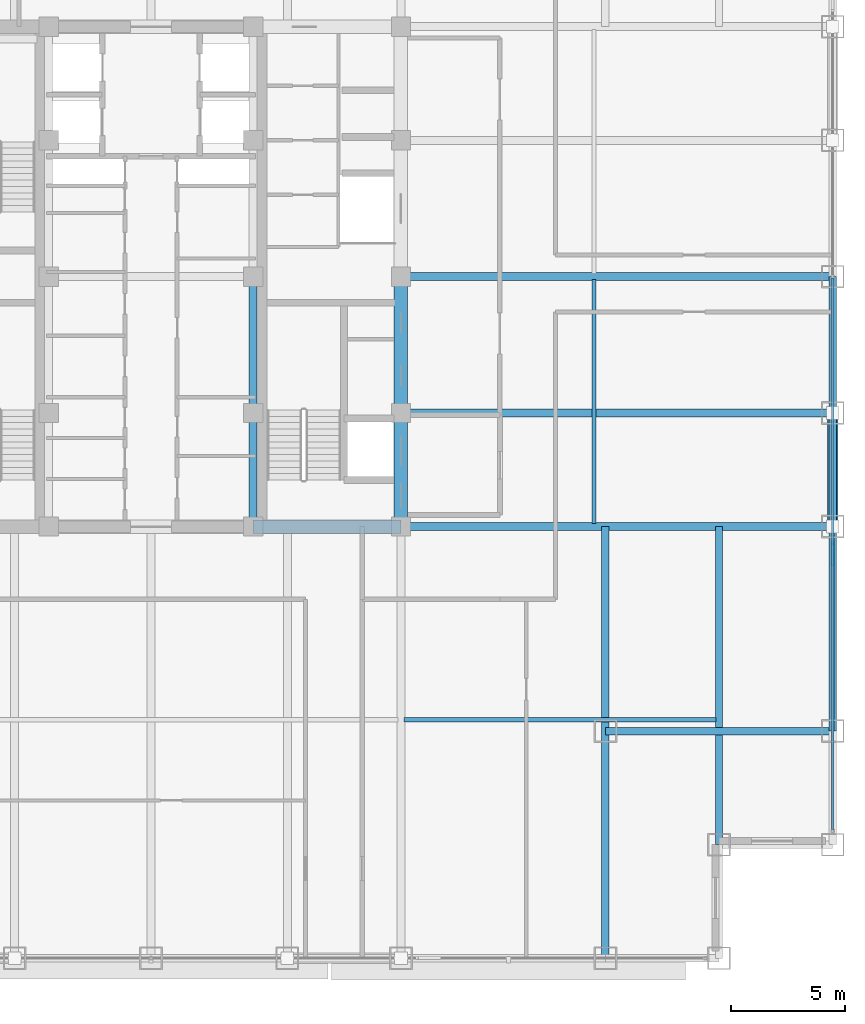
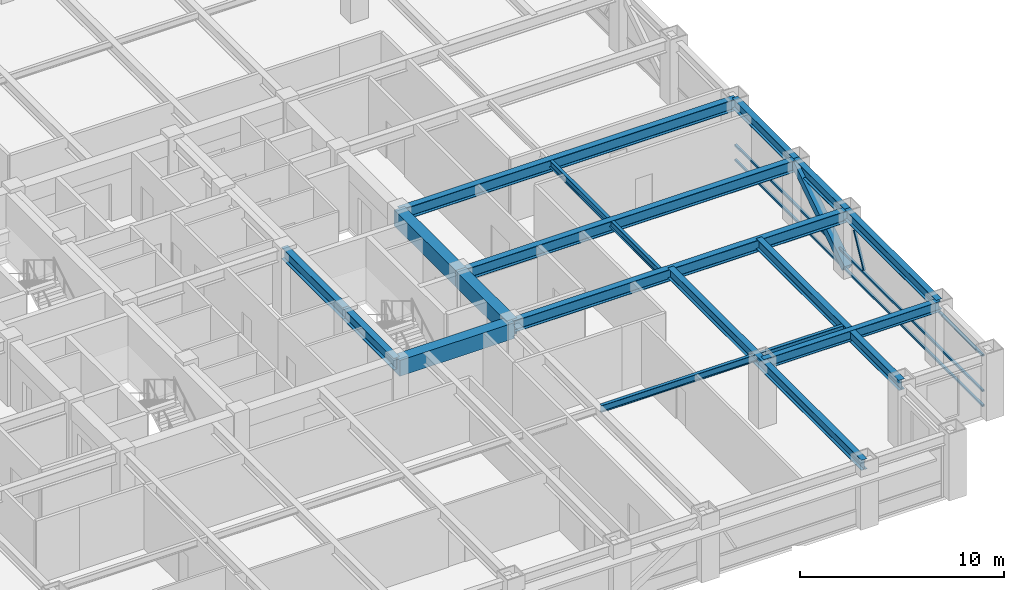
# One storey, part 9 of 29: 16 beams, 5 members, 1 element without a shape of its own.
"""IFC4 building model written with IfcOpenShell, lengths in metres."""

from ifc_helpers import new_model, si_unit, direction, frame, origin, origin_2d, place, context, subcontext, project, spatial, rectangle, hollow_rectangle, i_section, extrude, source, transform, mapped, material, material_profile, profile_set, type_object, element, aggregate, save


model = new_model("IFC4")

# Units and contexts
model_context = context("Model", 3, precision=1e-05, world=origin(), true_north=direction((0.0, 1.0)))
body_context = subcontext(model_context, "Body", "Model", "MODEL_VIEW")
ifc_project = project(units=[si_unit("LENGTHUNIT", "METRE"), si_unit("AREAUNIT", "SQUARE_METRE"), si_unit("VOLUMEUNIT", "CUBIC_METRE"), si_unit("PLANEANGLEUNIT", "RADIAN"), si_unit("MASSUNIT", "GRAM", prefix="KILO")], contexts=[model_context])

# Site, building, storey
site_placement = place(None, origin())
site = spatial("IfcSite", under=ifc_project, at=site_placement, CompositionType="ELEMENT")
building_placement = place(site_placement, origin())
building = spatial("IfcBuilding", under=site, at=building_placement, Name="Khorayat Bourse Tower", CompositionType="ELEMENT")
storey_placement = place(building_placement, frame((0.0, 0.0, 239.10009765625)))
storey = spatial("IfcBuildingStorey", under=building, at=storey_placement, Name="L56", CompositionType="ELEMENT", Elevation=239.10009765625)

# Beams
ifc_material_1 = material(Name="Steel ASTM A992 Grade 50", Category="steel")
ifc_material_profile_1 = material_profile(ifc_material_1, i_section(OverallWidth=0.35498046875, OverallDepth=0.695068359375, WebThickness=0.015380859375, FlangeThickness=0.02490234375, FilletRadius=0.01806640625, at=origin_2d()), Name="W690X217")
ifc_profile_set_1 = profile_set([ifc_material_profile_1], Name="Steel ASTM A992 Grade 50")
beam_type_1 = type_object("IfcBeamType", Name="BM-GIRD-690", PredefinedType="BEAM", material=ifc_profile_set_1)
shared_shape_1 = source(origin(), body_context, "Body", "SweptSolid", [
    extrude(i_section(OverallWidth=0.35498046875, OverallDepth=0.695068359375, WebThickness=0.015380859375, FlangeThickness=0.02490234375, FilletRadius=0.01806640625, at=origin_2d()), origin(), (0.0, 0.0, 1.0), 5.0),
])
beam_1_placement = place(storey_placement, frame((4.5, -11.0, 3.432373046875), z_axis=(0.0, 1.0, 0.0), x_axis=(-1.0, 0.0, 0.0)))
element("IfcBeam", 1, at=beam_1_placement, inside=storey, type_object=beam_type_1, Name="L56 BM-GIRD-690 BM-L56-CRX-09", PredefinedType="BEAM", context=body_context, shape_type="MappedRepresentation", body=[
    mapped(shared_shape_1, transform((0.0, 0.0, 0.0), scale=1.0)),
])
shared_shape_2 = source(origin(), body_context, "Body", "SweptSolid", [
    extrude(i_section(OverallWidth=0.35498046875, OverallDepth=0.695068359375, WebThickness=0.015380859375, FlangeThickness=0.02490234375, FilletRadius=0.01806640625, at=origin_2d()), origin(), (0.0, 0.0, 1.0), 6.0),
])
beam_2_placement = place(storey_placement, frame((4.5, -6.0, 3.432373046875), z_axis=(0.0, 1.0, 0.0), x_axis=(-1.0, 0.0, 0.0)))
element("IfcBeam", 2, at=beam_2_placement, inside=storey, type_object=beam_type_1, Name="L56 BM-GIRD-690 BM-L56-CRX-10", PredefinedType="BEAM", context=body_context, shape_type="MappedRepresentation", body=[
    mapped(shared_shape_2, transform((0.0, 0.0, 0.0), scale=1.0)),
])
ifc_material_profile_2 = material_profile(ifc_material_1, i_section(OverallWidth=0.324951171875, OverallDepth=0.615966796875, WebThickness=0.013916015625, FlangeThickness=0.021484375, FilletRadius=0.01611328125, at=origin_2d()), Name="W610X174")
ifc_profile_set_2 = profile_set([ifc_material_profile_2], Name="Steel ASTM A992 Grade 50")
beam_type_2 = type_object("IfcBeamType", Name="BM-GIRD-610", PredefinedType="BEAM", material=ifc_profile_set_2)
shared_shape_3 = source(origin(), body_context, "Body", "SweptSolid", [
    extrude(i_section(OverallWidth=0.324951171875, OverallDepth=0.615966796875, WebThickness=0.013916015625, FlangeThickness=0.021484375, FilletRadius=0.01611328125, at=origin_2d()), origin(), (0.0, 0.0, 1.0), 19.0),
])
beam_3_placement = place(storey_placement, frame((20.0, -30.0, 3.471923828125), z_axis=(0.0, 1.0, 0.0), x_axis=(-1.0, 0.0, 0.0)))
element("IfcBeam", 3, at=beam_3_placement, inside=storey, type_object=beam_type_2, Name="L56 BM-GIRD-610 BM-L56-CNRY-086", PredefinedType="BEAM", context=body_context, shape_type="MappedRepresentation", body=[
    mapped(shared_shape_3, transform((0.0, 0.0, 0.0), scale=1.0)),
])
shared_shape_4 = source(origin(), body_context, "Body", "SweptSolid", [
    extrude(i_section(OverallWidth=0.324951171875, OverallDepth=0.615966796875, WebThickness=0.013916015625, FlangeThickness=0.021484375, FilletRadius=0.01611328125, at=origin_2d()), origin(), (0.0, 0.0, 1.0), 10.0),
])
beam_4_placement = place(storey_placement, frame((20.0, -20.0, 3.471923828125), z_axis=(1.0, 0.0, 0.0), x_axis=(0.0, 1.0, 0.0)))
element("IfcBeam", 4, at=beam_4_placement, inside=storey, type_object=beam_type_2, Name="L56 BM-GIRD-610 BM-L56-CNRX-092", PredefinedType="BEAM", context=body_context, shape_type="MappedRepresentation", body=[
    mapped(shared_shape_4, transform((0.0, 0.0, 0.0), scale=1.0)),
])
ifc_material_profile_3 = material_profile(ifc_material_1, i_section(OverallWidth=0.180908203125, OverallDepth=0.4169921875, WebThickness=0.010986328125, FlangeThickness=0.018310546875, FilletRadius=0.011962890625, at=origin_2d()), Name="W410X85")
ifc_profile_set_3 = profile_set([ifc_material_profile_3], Name="Steel ASTM A992 Grade 50")
beam_type_3 = type_object("IfcBeamType", Name="BM-JOIST-410", PredefinedType="JOIST", material=ifc_profile_set_3)
shared_shape_5 = source(origin(), body_context, "Body", "SweptSolid", [
    extrude(i_section(OverallWidth=0.180908203125, OverallDepth=0.4169921875, WebThickness=0.010986328125, FlangeThickness=0.018310546875, FilletRadius=0.011962890625, at=origin_2d()), origin(), (0.0, 0.0, 1.0), 10.740234375),
])
beam_5_placement = place(storey_placement, frame((19.5, -10.8701171875, 3.5712890625), z_axis=(0.0, 1.0, 0.0), x_axis=(-1.0, 0.0, 0.0)))
element("IfcBeam", 5, at=beam_5_placement, inside=storey, type_object=beam_type_3, Name="L56 BM-JOIST-410 BM-L56-JSTY-104", PredefinedType="JOIST", context=body_context, shape_type="MappedRepresentation", body=[
    mapped(shared_shape_5, transform((0.0, 0.0, 0.0), scale=1.0)),
])
ifc_material_profile_4 = material_profile(ifc_material_1, i_section(OverallWidth=0.324951171875, OverallDepth=0.615966796875, WebThickness=0.013916015625, FlangeThickness=0.021484375, FilletRadius=0.01611328125, at=origin_2d()), Name="W610X174")
ifc_profile_set_4 = profile_set([ifc_material_profile_4], Name="Steel ASTM A992 Grade 50")
beam_type_4 = type_object("IfcBeamType", Name="BM-SPAN-610", PredefinedType="SPANDREL", material=ifc_profile_set_4)
shared_shape_6 = source(origin(), body_context, "Body", "SweptSolid", [
    extrude(i_section(OverallWidth=0.324951171875, OverallDepth=0.615966796875, WebThickness=0.013916015625, FlangeThickness=0.021484375, FilletRadius=0.01611328125, at=origin_2d()), origin(), (0.0, 0.0, 1.0), 9.0),
])
beam_6_placement = place(storey_placement, frame((30.0, -20.0, 3.471923828125), z_axis=(0.0, 1.0, 0.0), x_axis=(-1.0, 0.0, 0.0)))
element("IfcBeam", 6, at=beam_6_placement, inside=storey, type_object=beam_type_4, Name="L56 BM-SPAN-610 BM-L56-SPN-035", PredefinedType="SPANDREL", context=body_context, shape_type="MappedRepresentation", body=[
    mapped(shared_shape_6, transform((0.0, 0.0, 0.0), scale=1.0)),
])
shared_shape_7 = source(origin(), body_context, "Body", "SweptSolid", [
    extrude(i_section(OverallWidth=0.324951171875, OverallDepth=0.615966796875, WebThickness=0.013916015625, FlangeThickness=0.021484375, FilletRadius=0.01611328125, at=origin_2d()), origin(), (0.0, 0.0, 1.0), 5.0),
])
beam_7_placement = place(storey_placement, frame((30.0, -11.0, 3.471923828125), z_axis=(0.0, 1.0, 0.0), x_axis=(-1.0, 0.0, 0.0)))
element("IfcBeam", 7, at=beam_7_placement, inside=storey, type_object=beam_type_4, Name="L56 BM-SPAN-610 BM-L56-SPN-036", PredefinedType="SPANDREL", context=body_context, shape_type="MappedRepresentation", body=[
    mapped(shared_shape_7, transform((0.0, 0.0, 0.0), scale=1.0)),
])
shared_shape_8 = source(origin(), body_context, "Body", "SweptSolid", [
    extrude(i_section(OverallWidth=0.324951171875, OverallDepth=0.615966796875, WebThickness=0.013916015625, FlangeThickness=0.021484375, FilletRadius=0.01611328125, at=origin_2d()), origin(), (0.0, 0.0, 1.0), 6.0),
])
beam_8_placement = place(storey_placement, frame((30.0, -6.0, 3.471923828125), z_axis=(0.0, 1.0, 0.0), x_axis=(-1.0, 0.0, 0.0)))
element("IfcBeam", 8, at=beam_8_placement, inside=storey, type_object=beam_type_4, Name="L56 BM-SPAN-610 BM-L56-SPN-037", PredefinedType="SPANDREL", context=body_context, shape_type="MappedRepresentation", body=[
    mapped(shared_shape_8, transform((0.0, 0.0, 0.0), scale=1.0)),
])
ifc_material_2 = material(Name="Concrete C60/75", Category="concrete")
ifc_material_profile_5 = material_profile(ifc_material_2, rectangle(XDim=0.60009765625, YDim=0.949951171875, at=origin_2d()), Name="RC 600x950")
ifc_profile_set_5 = profile_set([ifc_material_profile_5], Name="Concrete C60/75")
beam_type_5 = type_object("IfcBeamType", Name="BM-COUP-950", PredefinedType="BEAM", material=ifc_profile_set_5)
shared_shape_9 = source(origin(), body_context, "Body", "SweptSolid", [
    extrude(rectangle(XDim=0.60009765625, YDim=0.949951171875, at=origin_2d()), origin(), (0.0, 0.0, 1.0), 5.0),
])
beam_9_placement = place(storey_placement, frame((11.0, -11.0, 3.304931640625), z_axis=(0.0, 1.0, 0.0), x_axis=(-1.0, 0.0, 0.0)))
element("IfcBeam", 9, at=beam_9_placement, inside=storey, type_object=beam_type_5, Name="L56 BM-COUP-950 BM-L56-CRX-13", PredefinedType="BEAM", context=body_context, shape_type="MappedRepresentation", body=[
    mapped(shared_shape_9, transform((0.0, 0.0, 0.0), scale=1.0)),
])
shared_shape_10 = source(origin(), body_context, "Body", "SweptSolid", [
    extrude(rectangle(XDim=0.60009765625, YDim=0.949951171875, at=origin_2d()), origin(), (0.0, 0.0, 1.0), 6.0),
])
beam_10_placement = place(storey_placement, frame((11.0, -6.0, 3.304931640625), z_axis=(0.0, 1.0, 0.0), x_axis=(-1.0, 0.0, 0.0)))
element("IfcBeam", 10, at=beam_10_placement, inside=storey, type_object=beam_type_5, Name="L56 BM-COUP-950 BM-L56-CRX-14", PredefinedType="BEAM", context=body_context, shape_type="MappedRepresentation", body=[
    mapped(shared_shape_10, transform((0.0, 0.0, 0.0), scale=1.0)),
])
shared_shape_11 = source(origin(), body_context, "Body", "SweptSolid", [
    extrude(rectangle(XDim=0.60009765625, YDim=0.949951171875, at=origin_2d()), origin(), (0.0, 0.0, 1.0), 6.5),
])
beam_11_placement = place(storey_placement, frame((4.5, -11.0, 3.304931640625), z_axis=(1.0, 0.0, 0.0), x_axis=(0.0, 1.0, 0.0)))
element("IfcBeam", 11, at=beam_11_placement, inside=storey, type_object=beam_type_5, Name="L56 BM-COUP-950 BM-L56-CRY-19", PredefinedType="BEAM", context=body_context, shape_type="MappedRepresentation", body=[
    mapped(shared_shape_11, transform((0.0, 0.0, 0.0), scale=1.0)),
])
shared_shape_12 = source(origin(), body_context, "Body", "SweptSolid", [
    extrude(i_section(OverallWidth=0.35498046875, OverallDepth=0.695068359375, WebThickness=0.015380859375, FlangeThickness=0.02490234375, FilletRadius=0.01806640625, at=origin_2d()), origin(), (0.0, 0.0, 1.0), 19.0),
])
for number, where, z_axis, x_axis, name in (
    (12, (11.0, -11.0, 3.432373046875), (1.0, 0.0, 0.0), (0.0, 1.0, 0.0), "L56 BM-GIRD-690 BM-L56-RADX-074"),
    (13, (11.0, -6.0, 3.432373046875), (1.0, 0.0, 0.0), (0.0, 1.0, 0.0), "L56 BM-GIRD-690 BM-L56-RADX-076"),
    (14, (11.0, 0.0, 3.432373046875), (1.0, 0.0, 0.0), (0.0, 1.0, 0.0), "L56 BM-GIRD-690 BM-L56-RADX-078"),
):
    element("IfcBeam", number, at=place(storey_placement, frame(where, z_axis=z_axis, x_axis=x_axis)), inside=storey, type_object=beam_type_1, Name=name, PredefinedType="BEAM", context=body_context, shape_type="MappedRepresentation", body=[
        mapped(shared_shape_12, transform((0.0, 0.0, 0.0), scale=1.0)),
    ])
shared_shape_13 = source(origin(), body_context, "Body", "SweptSolid", [
    extrude(i_section(OverallWidth=0.324951171875, OverallDepth=0.615966796875, WebThickness=0.013916015625, FlangeThickness=0.021484375, FilletRadius=0.01611328125, at=origin_2d()), origin(), (0.0, 0.0, 1.0), 14.0),
])
beam_12_placement = place(storey_placement, frame((25.0, -25.0, 3.471923828125), z_axis=(0.0, 1.0, 0.0), x_axis=(-1.0, 0.0, 0.0)))
element("IfcBeam", 15, at=beam_12_placement, inside=storey, type_object=beam_type_2, Name="L56 BM-GIRD-610 BM-L56-CNRY-090", PredefinedType="BEAM", context=body_context, shape_type="MappedRepresentation", body=[
    mapped(shared_shape_13, transform((0.0, 0.0, 0.0), scale=1.0)),
])
shared_shape_14 = source(origin(), body_context, "Body", "SweptSolid", [
    extrude(i_section(OverallWidth=0.180908203125, OverallDepth=0.4169921875, WebThickness=0.010986328125, FlangeThickness=0.018310546875, FilletRadius=0.011962890625, at=origin_2d()), origin(), (0.0, 0.0, 1.0), 13.740234375),
])
beam_13_placement = place(storey_placement, frame((11.1298828125, -19.5, 3.5712890625), z_axis=(1.0, 0.0, 0.0), x_axis=(0.0, 1.0, 0.0)))
element("IfcBeam", 16, at=beam_13_placement, inside=storey, type_object=beam_type_3, Name="L56 BM-JOIST-410 BM-L56-JSTX-098", PredefinedType="JOIST", context=body_context, shape_type="MappedRepresentation", body=[
    mapped(shared_shape_14, transform((0.0, 0.0, 0.0), scale=1.0)),
])

# Member
ifc_material_3 = material(Name="Steel EN 10025-4 S460M", Category="steel")
ifc_material_profile_6 = material_profile(ifc_material_3, hollow_rectangle(XDim=0.449951171875, YDim=0.449951171875, WallThickness=0.02490234375, at=origin_2d()), Name="HSS 450x450x25")
ifc_profile_set_6 = profile_set([ifc_material_profile_6], Name="Steel EN 10025-4 S460M")
member_type_1 = type_object("IfcMemberType", Name="MBR-TUBE-450", PredefinedType="BRACE", material=ifc_profile_set_6)
shared_shape_15 = source(origin(), body_context, "Body", "SweptSolid", [
    extrude(hollow_rectangle(XDim=0.449951171875, YDim=0.449951171875, WallThickness=0.02490234375, at=origin_2d()), origin(), (0.0, 0.0, 1.0), 5.979736328125),
])
member_1_placement = place(storey_placement, frame((30.0, -11.0, 0.25), z_axis=(0.0, 0.836160261256, 0.548485202623), x_axis=(-1.0, 0.0, 0.0)))
element("IfcMember", 17, at=member_1_placement, inside=storey, type_object=member_type_1, Name="L56 Perimeter Tube Brace 07", PredefinedType="BRACE", context=body_context, shape_type="MappedRepresentation", body=[
    mapped(shared_shape_15, transform((0.0, 0.0, 0.0), scale=1.0)),
])

# Curtain wall, members
ifc_material_4 = material(Name="Aluminium EN AW-6063 T6", Category="aluminium")
curtain_wall_type = type_object("IfcCurtainWallType", Name="CW-SYS-03", PredefinedType="NOTDEFINED", material=ifc_material_4)
curtain_wall_placement = place(storey_placement, origin())
curtain_wall = element("IfcCurtainWall", 18, at=curtain_wall_placement, inside=storey, type_object=curtain_wall_type, Name="L56 Curtain Wall CW-L56-E1", PredefinedType="NOTDEFINED")
ifc_material_profile_7 = material_profile(ifc_material_4, hollow_rectangle(XDim=0.1201171875, YDim=0.1201171875, WallThickness=0.0048828125, at=origin_2d()), Name="ALU 120x120x5")
ifc_profile_set_7 = profile_set([ifc_material_profile_7], Name="Aluminium EN AW-6063 T6")
member_type_2 = type_object("IfcMemberType", Name="CWM-DIAG-120", PredefinedType="MULLION", material=ifc_profile_set_7)
shared_shape_16 = source(origin(), body_context, "Body", "SweptSolid", [
    extrude(hollow_rectangle(XDim=0.1201171875, YDim=0.1201171875, WallThickness=0.0048828125, at=origin_2d()), origin(), (0.0, 0.0, 1.0), 2.079345703125),
])
member_2_placement = place(storey_placement, frame((30.0, -12.67919921875, 1.08984375), z_axis=(0.0, 0.465760949701, 0.884910581773), x_axis=(-1.0, 0.0, 0.0)))
member_2 = element("IfcMember", 19, at=member_2_placement, type_object=member_type_2, Name="CW-L56-E1 Faceted Diagonal Mullion 1", PredefinedType="MULLION", context=body_context, shape_type="MappedRepresentation", body=[
    mapped(shared_shape_16, transform((0.0, 0.0, 0.0), scale=1.0)),
])
ifc_material_profile_8 = material_profile(ifc_material_4, hollow_rectangle(XDim=0.1201171875, YDim=0.1201171875, WallThickness=0.0048828125, at=origin_2d()), Name="ALU 120x120x5")
ifc_profile_set_8 = profile_set([ifc_material_profile_8], Name="Aluminium EN AW-6063 T6")
member_type_3 = type_object("IfcMemberType", Name="CWT-HORZ-120", PredefinedType="USERDEFINED", material=ifc_profile_set_8)
shared_shape_17 = source(origin(), body_context, "Body", "SweptSolid", [
    extrude(hollow_rectangle(XDim=0.1201171875, YDim=0.1201171875, WallThickness=0.0048828125, at=origin_2d()), origin(), (0.0, 0.0, 1.0), 24.27001953125),
])
member_3_placement = place(storey_placement, frame((30.0, -24.330078125, 0.059814453125), z_axis=(0.0, 1.0, 0.0), x_axis=(-1.0, 0.0, 0.0)))
member_3 = element("IfcMember", 20, at=member_3_placement, type_object=member_type_3, Name="CW-L56-E1 Horizontal Transom 1-1", ObjectType="TRANSOM", PredefinedType="USERDEFINED", context=body_context, shape_type="MappedRepresentation", body=[
    mapped(shared_shape_17, transform((0.0, 0.0, 0.0), scale=1.0)),
])
member_4_placement = place(storey_placement, frame((30.0, -24.330078125, 0.949951171875), z_axis=(0.0, 1.0, 0.0), x_axis=(-1.0, 0.0, 0.0)))
member_4 = element("IfcMember", 21, at=member_4_placement, type_object=member_type_3, Name="CW-L56-E1 Horizontal Transom 1-2", ObjectType="TRANSOM", PredefinedType="USERDEFINED", context=body_context, shape_type="MappedRepresentation", body=[
    mapped(shared_shape_17, transform((0.0, 0.0, 0.0), scale=1.0)),
])
member_5_placement = place(storey_placement, frame((30.0, -24.330078125, 3.06982421875), z_axis=(0.0, 1.0, 0.0), x_axis=(-1.0, 0.0, 0.0)))
member_5 = element("IfcMember", 22, at=member_5_placement, type_object=member_type_3, Name="CW-L56-E1 Horizontal Transom 1-3", ObjectType="TRANSOM", PredefinedType="USERDEFINED", context=body_context, shape_type="MappedRepresentation", body=[
    mapped(shared_shape_17, transform((0.0, 0.0, 0.0), scale=1.0)),
])
aggregate(curtain_wall, [member_3, member_4, member_5, member_2])

save(model, "model.ifc")
